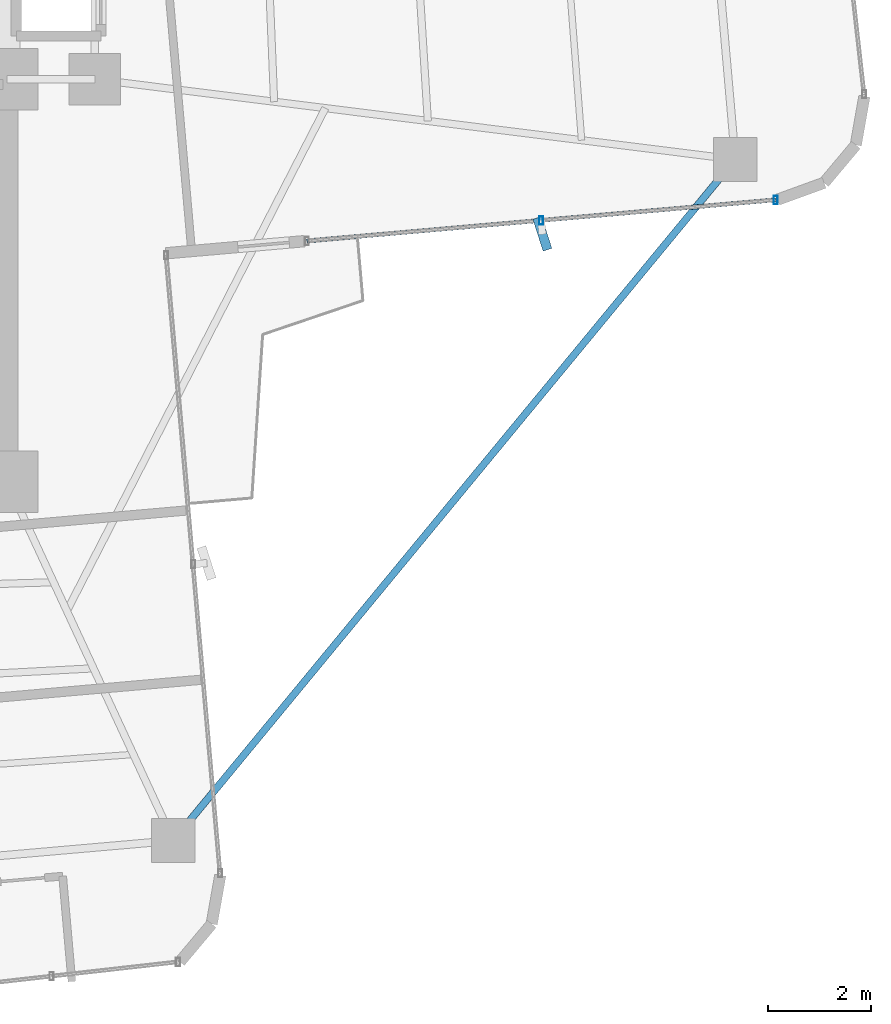
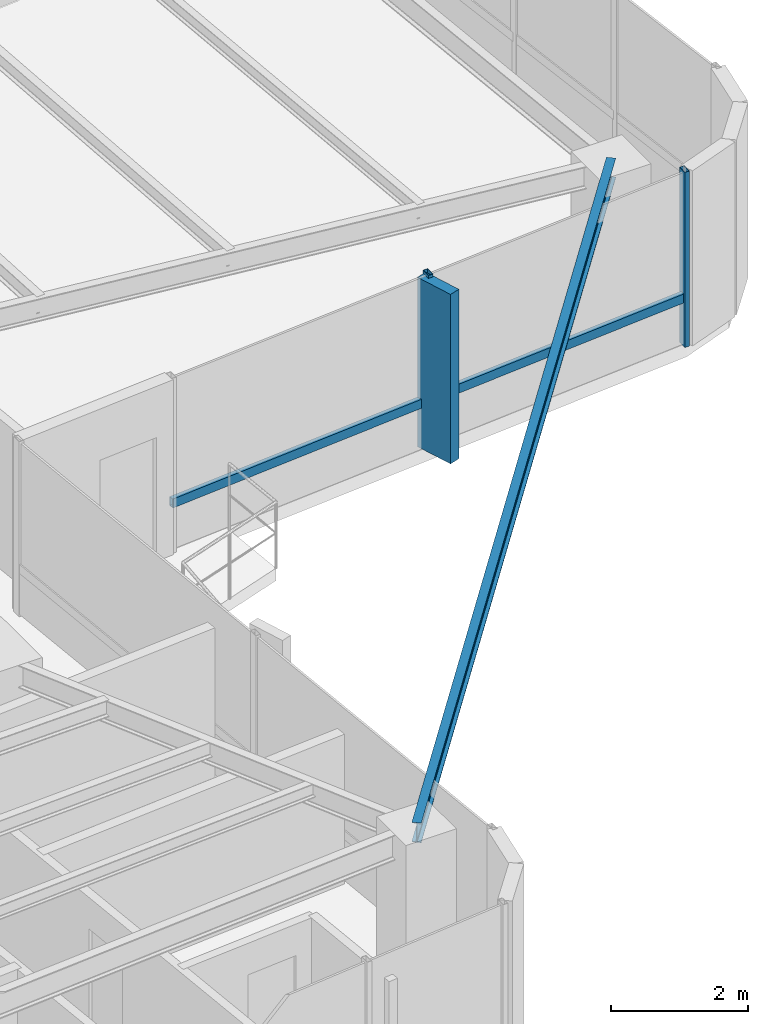
# One storey, part 13 of 24: 5 members, 1 beam, 1 element without a shape of its own.
"""IFC4 building model written with IfcOpenShell, lengths in metres."""

from ifc_helpers import new_model, si_unit, direction, frame, origin, origin_2d, place, context, subcontext, project, spatial, rectangle, hollow_rectangle, i_section, extrude, source, transform, mapped, material, material_profile, profile_set, type_object, element, aggregate, save


model = new_model("IFC4")

# Units and contexts
model_context = context("Model", 3, precision=1e-05, world=origin(), true_north=direction((0.0, 1.0)))
body_context = subcontext(model_context, "Body", "Model", "MODEL_VIEW")
ifc_project = project(units=[si_unit("LENGTHUNIT", "METRE"), si_unit("AREAUNIT", "SQUARE_METRE"), si_unit("VOLUMEUNIT", "CUBIC_METRE"), si_unit("PLANEANGLEUNIT", "RADIAN"), si_unit("MASSUNIT", "GRAM", prefix="KILO")], contexts=[model_context])

# Site, building, storey
site_placement = place(None, origin())
site = spatial("IfcSite", under=ifc_project, at=site_placement, CompositionType="ELEMENT")
building_placement = place(site_placement, origin())
building = spatial("IfcBuilding", under=site, at=building_placement, Name="Sahyath Konkavel Grand Hotel", CompositionType="ELEMENT")
storey_placement = place(building_placement, frame((0.0, 0.0, 160.64990234375)))
storey = spatial("IfcBuildingStorey", under=building, at=storey_placement, Name="L44", CompositionType="ELEMENT", Elevation=160.64990234375)

# Beam
ifc_material_1 = material(Name="Steel E350", Category="steel")
ifc_material_profile_1 = material_profile(ifc_material_1, i_section(OverallWidth=0.139892578125, OverallDepth=0.35009765625, WebThickness=0.008056640625, FlangeThickness=0.01416015625, FilletRadius=0.013916015625, at=origin_2d()), Name="ISMB 350")
ifc_profile_set_1 = profile_set([ifc_material_profile_1], Name="Steel E350")
beam_type = type_object("IfcBeamType", Name="BM-ISMB350", PredefinedType="BEAM", material=ifc_profile_set_1)
shared_shape_1 = source(origin(), body_context, "Body", "SweptSolid", [
    extrude(i_section(OverallWidth=0.139892578125, OverallDepth=0.35009765625, WebThickness=0.008056640625, FlangeThickness=0.01416015625, FilletRadius=0.013916015625, at=origin_2d()), origin(), (0.0, 0.0, 1.0), 17.112548828125),
])
beam_placement = place(storey_placement, frame((17.912841796875, -3.953857421875, 2.93505859375), z_axis=(-0.636437070092, -0.77132863023, 0.0), x_axis=(0.77132863023, -0.636437070092, 0.0)))
element("IfcBeam", 1, at=beam_placement, inside=storey, type_object=beam_type, Name="L44 Re-Entrant Tie Beam SE", PredefinedType="BEAM", context=body_context, shape_type="MappedRepresentation", body=[
    mapped(shared_shape_1, transform((0.0, 0.0, 0.0), scale=1.0)),
])

# Curtain wall, members
ifc_material_2 = material(Name="Anodised Bronze Aluminium & Low-E Glazing", Category="aluminium")
curtain_wall_type = type_object("IfcCurtainWallType", Name="CW-ZONE3", PredefinedType="NOTDEFINED", material=ifc_material_2)
curtain_wall_placement = place(storey_placement, origin())
curtain_wall = element("IfcCurtainWall", 2, at=curtain_wall_placement, inside=storey, type_object=curtain_wall_type, Name="L44 Unitised Curtain Wall F0", PredefinedType="NOTDEFINED")
ifc_material_3 = material(Name="Warm Buff Sandstone Cladding on Concrete C50/60", Category="masonry")
ifc_material_profile_2 = material_profile(ifc_material_3, rectangle(XDim=0.179931640625, YDim=0.64990234375, at=origin_2d()), Name="FIN 180x650")
ifc_profile_set_2 = profile_set([ifc_material_profile_2], Name="Warm Buff Sandstone Cladding on Concrete C50/60")
member_type_1 = type_object("IfcMemberType", Name="FIN-SANDSTONE-650", PredefinedType="MULLION", material=ifc_profile_set_2)
shared_shape_2 = source(origin(), body_context, "Body", "SweptSolid", [
    extrude(rectangle(XDim=0.179931640625, YDim=0.64990234375, at=origin_2d()), origin(), (0.0, 0.0, 1.0), 3.010009765625),
])
member_1_placement = place(storey_placement, frame((14.17431640625, -5.39501953125, 0.050048828125), z_axis=(0.0, 0.0, 1.0), x_axis=(0.952502159334, 0.304531831612, 0.0)))
member_1 = element("IfcMember", 3, at=member_1_placement, type_object=member_type_1, Name="L44 Sandstone Vertical Solar Fin FIN F0-1", PredefinedType="MULLION", context=body_context, shape_type="MappedRepresentation", body=[
    mapped(shared_shape_2, transform((0.0, 0.0, 0.0), scale=1.0)),
])
ifc_material_4 = material(Name="Anodised Bronze Aluminium", Category="aluminium")
ifc_material_profile_3 = material_profile(ifc_material_4, hollow_rectangle(XDim=0.080078125, YDim=0.159912109375, WallThickness=0.006103515625, at=origin_2d()), Name="RHS 160x80x6")
ifc_profile_set_3 = profile_set([ifc_material_profile_3], Name="Anodised Bronze Aluminium")
member_type_2 = type_object("IfcMemberType", Name="CW-MUL-160", PredefinedType="MULLION", material=ifc_profile_set_3)
shared_shape_3 = source(origin(), body_context, "Body", "SweptSolid", [
    extrude(hollow_rectangle(XDim=0.080078125, YDim=0.159912109375, WallThickness=0.006103515625, at=origin_2d()), origin(), (0.0, 0.0, 1.0), 3.110107421875),
])
member_2_placement = place(storey_placement, frame((14.151611328125, -5.135986328125, 0.0), z_axis=(0.0, 0.0, 1.0), x_axis=(1.0, 0.0, 0.0)))
member_2 = element("IfcMember", 4, at=member_2_placement, type_object=member_type_2, Name="L44 Curtain Wall Mullion F0-1", PredefinedType="MULLION", context=body_context, shape_type="MappedRepresentation", body=[
    mapped(shared_shape_3, transform((0.0, 0.0, 0.0), scale=1.0)),
])
member_3_placement = place(storey_placement, frame((18.694091796875, -4.73876953125, 0.0), z_axis=(0.0, 0.0, 1.0), x_axis=(1.0, 0.0, 0.0)))
member_3 = element("IfcMember", 5, at=member_3_placement, type_object=member_type_2, Name="L44 Curtain Wall Mullion F0-2", PredefinedType="MULLION", context=body_context, shape_type="MappedRepresentation", body=[
    mapped(shared_shape_3, transform((0.0, 0.0, 0.0), scale=1.0)),
])
ifc_material_profile_4 = material_profile(ifc_material_4, hollow_rectangle(XDim=0.080078125, YDim=0.159912109375, WallThickness=0.006103515625, at=origin_2d()), Name="RHS 160x80x6")
ifc_profile_set_4 = profile_set([ifc_material_profile_4], Name="Anodised Bronze Aluminium")
member_type_3 = type_object("IfcMemberType", Name="CW-TRN-160", PredefinedType="USERDEFINED", material=ifc_profile_set_4)
shared_shape_4 = source(origin(), body_context, "Body", "SweptSolid", [
    extrude(hollow_rectangle(XDim=0.080078125, YDim=0.159912109375, WallThickness=0.006103515625, at=origin_2d()), origin(), (0.0, 0.0, 1.0), 4.56005859375),
])
member_4_placement = place(storey_placement, frame((9.60888671875, -5.53369140625, 0.85009765625), z_axis=(0.996189590376, 0.087214104516, 0.0), x_axis=(-0.087214104516, 0.996189590376, 0.0)))
member_4 = element("IfcMember", 6, at=member_4_placement, type_object=member_type_3, Name="L44 Curtain Wall Transom F0-0-spandrel", ObjectType="TRANSOM", PredefinedType="USERDEFINED", context=body_context, shape_type="MappedRepresentation", body=[
    mapped(shared_shape_4, transform((0.0, 0.0, 0.0), scale=1.0)),
])
shared_shape_5 = source(origin(), body_context, "Body", "SweptSolid", [
    extrude(hollow_rectangle(XDim=0.080078125, YDim=0.159912109375, WallThickness=0.006103515625, at=origin_2d()), origin(), (0.0, 0.0, 1.0), 4.559814453125),
])
member_5_placement = place(storey_placement, frame((14.151611328125, -5.135986328125, 0.85009765625), z_axis=(0.99619848155, 0.087112486804, 0.0), x_axis=(-0.087112486804, 0.99619848155, 0.0)))
member_5 = element("IfcMember", 7, at=member_5_placement, type_object=member_type_3, Name="L44 Curtain Wall Transom F0-1-spandrel", ObjectType="TRANSOM", PredefinedType="USERDEFINED", context=body_context, shape_type="MappedRepresentation", body=[
    mapped(shared_shape_5, transform((0.0, 0.0, 0.0), scale=1.0)),
])
aggregate(curtain_wall, [member_2, member_1, member_3, member_4, member_5])

save(model, "model.ifc")
